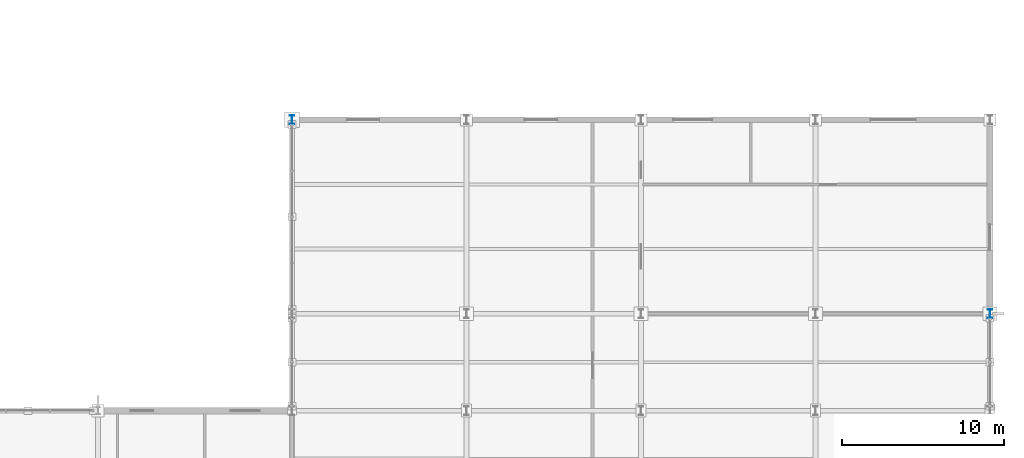
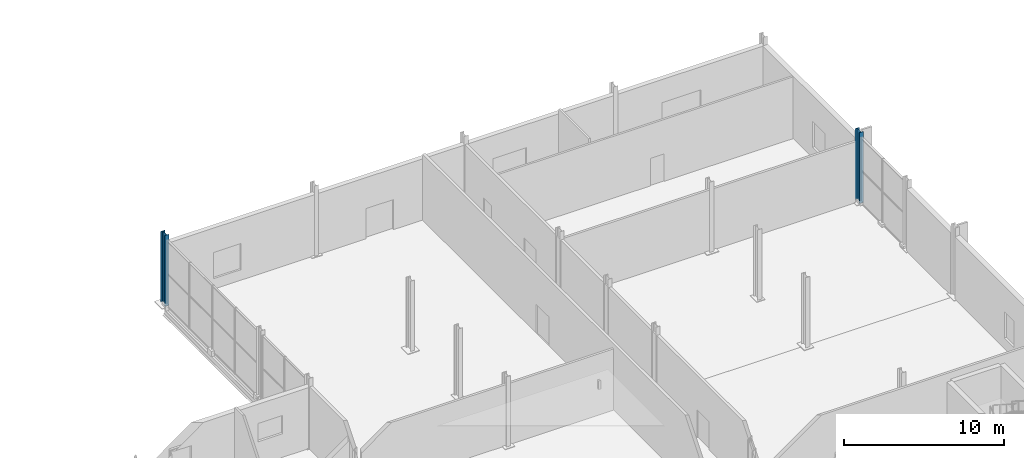
# One storey, part 21 of 196: 2 columns.
"""IFC4 building model written with IfcOpenShell, lengths in metres."""

from ifc_helpers import new_model, si_unit, direction, frame, origin, origin_2d, place, context, subcontext, project, spatial, i_section, extrude, material, material_profile, profile_set, type_object, element, save


model = new_model("IFC4")

# Units and contexts
model_context = context("Model", 3, precision=1e-05, world=origin(), true_north=direction((0.0, 1.0)))
body_context = subcontext(model_context, "Body", "Model", "MODEL_VIEW")
ifc_project = project(units=[si_unit("LENGTHUNIT", "METRE"), si_unit("AREAUNIT", "SQUARE_METRE"), si_unit("VOLUMEUNIT", "CUBIC_METRE"), si_unit("PLANEANGLEUNIT", "RADIAN"), si_unit("MASSUNIT", "GRAM", prefix="KILO")], contexts=[model_context])

# Site, building, storey
site_placement = place(None, origin())
site = spatial("IfcSite", under=ifc_project, at=site_placement, CompositionType="ELEMENT")
building_placement = place(site_placement, origin())
building = spatial("IfcBuilding", under=site, at=building_placement, Name="Merenkruunu Market Hall", CompositionType="ELEMENT")
storey_placement = place(building_placement, origin())
storey = spatial("IfcBuildingStorey", under=building, at=storey_placement, Name="L00", CompositionType="ELEMENT", Elevation=0.0)

# Columns
ifc_material = material(Name="Steel S355J2", Category="steel")
ifc_material_profile = material_profile(ifc_material, i_section(OverallWidth=0.300048828125, OverallDepth=0.5400390625, WebThickness=0.012451171875, FlangeThickness=0.02392578125, FilletRadius=0.027099609375, at=origin_2d()), Name="HEA 550")
ifc_profile_set = profile_set([ifc_material_profile], Name="Steel S355J2")
column_type = type_object("IfcColumnType", Name="Structural Column C06", PredefinedType="COLUMN", material=ifc_profile_set)
for number, where, z_axis, x_axis, name in (
    (1, (148.800048828125, 63.60009765625, 0.0), (0.0, 0.0, 1.0), (1.0, 0.0, 0.0), "COL-L00-Q-08"),
    (2, (192.0, 51.60009765625, 0.0), (0.0, 0.0, 1.0), (1.0, 0.0, 0.0), "COL-L00-U-07"),
):
    element("IfcColumn", number, at=place(storey_placement, frame(where, z_axis=z_axis, x_axis=x_axis)), inside=storey, type_object=column_type, Name=name, PredefinedType="COLUMN", context=body_context, shape_type="SweptSolid", body=[
        extrude(i_section(OverallWidth=0.300048828125, OverallDepth=0.5400390625, WebThickness=0.012451171875, FlangeThickness=0.02392578125, FilletRadius=0.027099609375, at=origin_2d()), origin(), (0.0, 0.0, 1.0), 5.39990234375),
    ])

save(model, "model.ifc")
